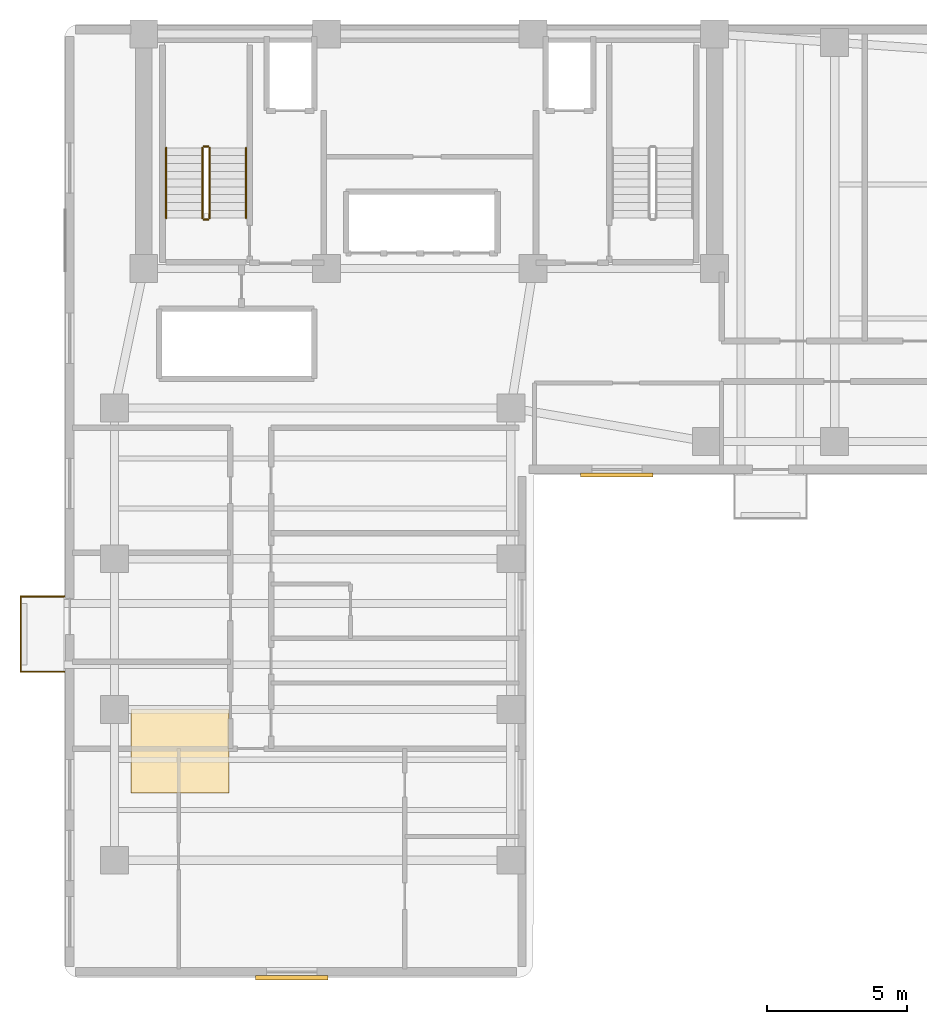
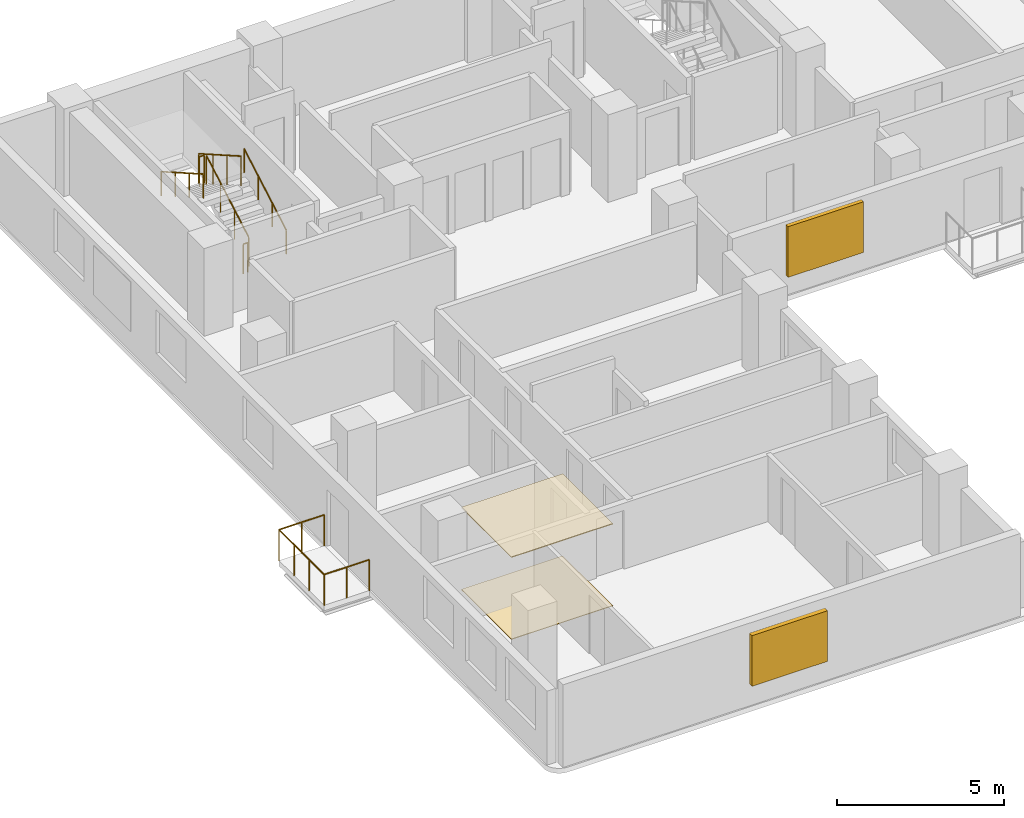
# One storey, part 6 of 7: 9 railings, 2 coverings, 2 shading devices.
"""IFC4 building model written with IfcOpenShell, lengths in metres."""

from ifc_helpers import new_model, si_unit, direction, frame, origin, origin_2d, place, context, subcontext, project, spatial, polyline, rectangle, circle, outline, extrude, material, layer, layer_set, type_object, element, save


model = new_model("IFC4")

# Units and contexts
model_context = context("Model", 3, precision=1e-05, world=origin(), true_north=direction((0.0, 1.0)))
body_context = subcontext(model_context, "Body", "Model", "MODEL_VIEW")
ifc_project = project(units=[si_unit("LENGTHUNIT", "METRE"), si_unit("AREAUNIT", "SQUARE_METRE"), si_unit("VOLUMEUNIT", "CUBIC_METRE"), si_unit("PLANEANGLEUNIT", "RADIAN"), si_unit("MASSUNIT", "GRAM", prefix="KILO")], contexts=[model_context])

# Site, building, storey
site_placement = place(None, origin())
site = spatial("IfcSite", under=ifc_project, at=site_placement, CompositionType="ELEMENT")
building_placement = place(site_placement, origin())
building = spatial("IfcBuilding", under=site, at=building_placement, Name="Kuzgunbayir Cultural Tower", CompositionType="ELEMENT")
storey_placement = place(building_placement, frame((0.0, 0.0, 117.0)))
storey = spatial("IfcBuildingStorey", under=building, at=storey_placement, Name="L33", CompositionType="ELEMENT", Elevation=117.0)

# Coverings
ifc_material_1 = material(Name="Perforated Gypsum Acoustic Tile", Category="gypsum")
ifc_layer_1 = layer(ifc_material_1, 0.02490234375)
ifc_layer_set_1 = layer_set([ifc_layer_1], Name="Perforated Gypsum Acoustic Tile")
covering_type_1 = type_object("IfcCoveringType", Name="COV-CEIL-ACOUSTIC", PredefinedType="CEILING", material=ifc_layer_set_1)
covering_1_placement = place(storey_placement, frame((0.0, 0.0, 2.989990234375)))
element("IfcCovering", 1, at=covering_1_placement, inside=storey, type_object=covering_type_1, Name="L33 Acoustic Soffit Ceiling", PredefinedType="CEILING", context=body_context, shape_type="SweptSolid", body=[
    extrude(outline(polyline([(6.0, 15.0), (9.5, 15.0), (9.5, 18.0), (6.0, 18.0), (6.0, 15.0)])), origin(), (0.0, 0.0, 1.0), 0.030029296875),
])
ifc_material_2 = material(Name="Engineered Anatolian Oak Parquet", Category="wood")
ifc_layer_2 = layer(ifc_material_2, 0.02197265625)
ifc_layer_set_2 = layer_set([ifc_layer_2], Name="Engineered Anatolian Oak Parquet")
covering_type_2 = type_object("IfcCoveringType", Name="COV-FLOOR-OAK", PredefinedType="FLOORING", material=ifc_layer_set_2)
covering_2_placement = place(storey_placement, origin())
element("IfcCovering", 2, at=covering_2_placement, inside=storey, type_object=covering_type_2, Name="L33 Acoustic Floor Finish", PredefinedType="FLOORING", context=body_context, shape_type="SweptSolid", body=[
    extrude(outline(polyline([(6.0, 15.0), (9.5, 15.0), (9.5, 18.0), (6.0, 18.0), (6.0, 15.0)])), origin(), (0.0, 0.0, 1.0), 0.02001953125),
])

# Railings
ifc_material_3 = material(Name="Laminated Glass and Stainless Steel", Category="steel")
ifc_layer_3 = layer(ifc_material_3, 0.080078125)
ifc_layer_set_3 = layer_set([ifc_layer_3], Name="Laminated Glass and Stainless Steel")
railing_type_1 = type_object("IfcRailingType", Name="RLG-BAL-115", PredefinedType="BALUSTRADE", material=ifc_layer_set_3)
railing_1_placement = place(storey_placement, frame((3.60009765625, 19.35009765625, 0.0)))
element("IfcRailing", 3, at=railing_1_placement, inside=storey, type_object=railing_type_1, Name="L33 Balcony Guard BAL-L33-WA2 Segment 1", PredefinedType="BALUSTRADE", context=body_context, shape_type="SweptSolid", body=[
    extrude(circle(Radius=0.02392578125, at=origin_2d()), frame((0.0, 0.0, 1.1259765625), z_axis=(-1.0, 0.0, 0.0), x_axis=(0.0, -1.0, 0.0)), (0.0, 0.0, 1.0), 1.56005859375),
    extrude(circle(Radius=0.02099609375, at=origin_2d()), origin(), (0.0, 0.0, 1.0), 1.101806640625),
    extrude(circle(Radius=0.02099609375, at=origin_2d()), frame((-0.780029296875, 0.0, 0.0)), (0.0, 0.0, 1.0), 1.101806640625),
    extrude(circle(Radius=0.02099609375, at=origin_2d()), frame((-1.56005859375, 0.0, 0.0)), (0.0, 0.0, 1.0), 1.101806640625),
])
railing_2_placement = place(storey_placement, frame((2.0400390625, 19.35009765625, 0.0)))
element("IfcRailing", 4, at=railing_2_placement, inside=storey, type_object=railing_type_1, Name="L33 Balcony Guard BAL-L33-WA2 Segment 2", PredefinedType="BALUSTRADE", context=body_context, shape_type="SweptSolid", body=[
    extrude(circle(Radius=0.02392578125, at=origin_2d()), frame((0.0, 0.0, 1.1259765625), z_axis=(0.0, 1.0, 0.0), x_axis=(-1.0, 0.0, 0.0)), (0.0, 0.0, 1.0), 2.699951171875),
    extrude(circle(Radius=0.02099609375, at=origin_2d()), origin(), (0.0, 0.0, 1.0), 1.101806640625),
    extrude(circle(Radius=0.02099609375, at=origin_2d()), frame((0.0, 0.89990234375, 0.0)), (0.0, 0.0, 1.0), 1.101806640625),
    extrude(circle(Radius=0.02099609375, at=origin_2d()), frame((0.0, 1.800048828125, 0.0)), (0.0, 0.0, 1.0), 1.101806640625),
    extrude(circle(Radius=0.02099609375, at=origin_2d()), frame((0.0, 2.699951171875, 0.0)), (0.0, 0.0, 1.0), 1.101806640625),
])
railing_3_placement = place(storey_placement, frame((2.0400390625, 22.050048828125, 0.0)))
element("IfcRailing", 5, at=railing_3_placement, inside=storey, type_object=railing_type_1, Name="L33 Balcony Guard BAL-L33-WA2 Segment 3", PredefinedType="BALUSTRADE", context=body_context, shape_type="SweptSolid", body=[
    extrude(circle(Radius=0.02392578125, at=origin_2d()), frame((0.0, 0.0, 1.1259765625), z_axis=(1.0, 0.0, 0.0), x_axis=(0.0, 1.0, 0.0)), (0.0, 0.0, 1.0), 1.56005859375),
    extrude(circle(Radius=0.02099609375, at=origin_2d()), origin(), (0.0, 0.0, 1.0), 1.101806640625),
    extrude(circle(Radius=0.02099609375, at=origin_2d()), frame((0.780029296875, 0.0, 0.0)), (0.0, 0.0, 1.0), 1.101806640625),
    extrude(circle(Radius=0.02099609375, at=origin_2d()), frame((1.56005859375, 0.0, 0.0)), (0.0, 0.0, 1.0), 1.101806640625),
])
ifc_material_4 = material(Name="Brushed Stainless Steel", Category="steel")
ifc_layer_4 = layer(ifc_material_4, 0.050048828125)
ifc_layer_set_4 = layer_set([ifc_layer_4], Name="Brushed Stainless Steel")
railing_type_2 = type_object("IfcRailingType", Name="RLG-STAIR-HANDRAIL", PredefinedType="HANDRAIL", material=ifc_layer_set_4)
railing_4_placement = place(storey_placement, frame((10.110107421875, 35.60009765625, 0.159912109375)))
element("IfcRailing", 6, at=railing_4_placement, inside=storey, type_object=railing_type_2, Name="L33 ST-1 stair handrail 1", PredefinedType="HANDRAIL", context=body_context, shape_type="SweptSolid", body=[
    extrude(circle(Radius=0.02392578125, at=origin_2d()), frame((0.0, 0.0, 0.8759765625), z_axis=(0.0, 0.868217259934, 0.496184229447), x_axis=(-1.0, 0.0, 0.0)), (0.0, 0.0, 1.0), 2.902587890625),
    extrude(circle(Radius=0.02099609375, at=origin_2d()), origin(), (0.0, 0.0, 1.0), 0.851806640625),
    extrude(circle(Radius=0.02099609375, at=origin_2d()), frame((0.0, 0.840087890625, 0.47998046875)), (0.0, 0.0, 1.0), 0.851806640625),
    extrude(circle(Radius=0.02099609375, at=origin_2d()), frame((0.0, 1.679931640625, 0.960205078125)), (0.0, 0.0, 1.0), 0.851806640625),
    extrude(circle(Radius=0.02099609375, at=origin_2d()), frame((0.0, 2.52001953125, 1.440185546875)), (0.0, 0.0, 1.0), 0.851806640625),
])
railing_5_placement = place(storey_placement, frame((7.25, 38.1201171875, 1.760009765625)))
element("IfcRailing", 7, at=railing_5_placement, inside=storey, type_object=railing_type_2, Name="L33 ST-1 stair handrail 2", PredefinedType="HANDRAIL", context=body_context, shape_type="SweptSolid", body=[
    extrude(circle(Radius=0.02392578125, at=origin_2d()), frame((0.0, 0.0, 0.8759765625), z_axis=(0.0, -0.868253494771, 0.496120820787), x_axis=(1.0, 0.0, 0.0)), (0.0, 0.0, 1.0), 2.90234375),
    extrude(circle(Radius=0.02099609375, at=origin_2d()), origin(), (0.0, 0.0, 1.0), 0.851806640625),
    extrude(circle(Radius=0.02099609375, at=origin_2d()), frame((0.0, -0.840087890625, 0.47998046875)), (0.0, 0.0, 1.0), 0.851806640625),
    extrude(circle(Radius=0.02099609375, at=origin_2d()), frame((0.0, -1.679931640625, 0.9599609375)), (0.0, 0.0, 1.0), 0.851806640625),
    extrude(circle(Radius=0.02099609375, at=origin_2d()), frame((0.0, -2.52001953125, 1.43994140625)), (0.0, 0.0, 1.0), 0.851806640625),
])
ifc_material_5 = material(Name="Painted Steel Balustrade", Category="steel")
ifc_layer_5 = layer(ifc_material_5, 0.06005859375)
ifc_layer_set_5 = layer_set([ifc_layer_5], Name="Painted Steel Balustrade")
railing_type_3 = type_object("IfcRailingType", Name="RLG-WELL-GUARD", PredefinedType="GUARDRAIL", material=ifc_layer_set_5)
railing_6_placement = place(storey_placement, frame((8.81005859375, 35.60009765625, 0.159912109375)))
element("IfcRailing", 8, at=railing_6_placement, inside=storey, type_object=railing_type_3, Name="L33 ST-1 stair guard 1", PredefinedType="GUARDRAIL", context=body_context, shape_type="SweptSolid", body=[
    extrude(circle(Radius=0.02392578125, at=origin_2d()), frame((0.0, 0.0, 1.076171875), z_axis=(0.0, 0.868217259934, 0.496184229447), x_axis=(-1.0, 0.0, 0.0)), (0.0, 0.0, 1.0), 2.902587890625),
    extrude(circle(Radius=0.02099609375, at=origin_2d()), origin(), (0.0, 0.0, 1.0), 1.052001953125),
    extrude(circle(Radius=0.02099609375, at=origin_2d()), frame((0.0, 0.840087890625, 0.47998046875)), (0.0, 0.0, 1.0), 1.052001953125),
    extrude(circle(Radius=0.02099609375, at=origin_2d()), frame((0.0, 1.679931640625, 0.960205078125)), (0.0, 0.0, 1.0), 1.052001953125),
    extrude(circle(Radius=0.02099609375, at=origin_2d()), frame((0.0, 2.52001953125, 1.440185546875)), (0.0, 0.0, 1.0), 1.052001953125),
])
railing_7_placement = place(storey_placement, frame((8.760009765625, 38.169921875, 1.60009765625)))
element("IfcRailing", 9, at=railing_7_placement, inside=storey, type_object=railing_type_3, Name="L33 ST-1 stair guard 2", PredefinedType="GUARDRAIL", context=body_context, shape_type="SweptSolid", body=[
    extrude(circle(Radius=0.02392578125, at=origin_2d()), frame((0.0, 0.0, 1.076171875), z_axis=(-1.0, 0.0, 0.0), x_axis=(0.0, -1.0, 0.0)), (0.0, 0.0, 1.0), 0.159912109375),
    extrude(circle(Radius=0.02099609375, at=origin_2d()), origin(), (0.0, 0.0, 1.0), 1.052001953125),
    extrude(circle(Radius=0.02099609375, at=origin_2d()), frame((-0.159912109375, 0.0, 0.0)), (0.0, 0.0, 1.0), 1.052001953125),
])
railing_8_placement = place(storey_placement, frame((8.550048828125, 38.1201171875, 1.760009765625)))
element("IfcRailing", 10, at=railing_8_placement, inside=storey, type_object=railing_type_3, Name="L33 ST-1 stair guard 3", PredefinedType="GUARDRAIL", context=body_context, shape_type="SweptSolid", body=[
    extrude(circle(Radius=0.02392578125, at=origin_2d()), frame((0.0, 0.0, 1.076171875), z_axis=(0.0, -0.868253494771, 0.496120820787), x_axis=(1.0, 0.0, 0.0)), (0.0, 0.0, 1.0), 2.90234375),
    extrude(circle(Radius=0.02099609375, at=origin_2d()), origin(), (0.0, 0.0, 1.0), 1.052001953125),
    extrude(circle(Radius=0.02099609375, at=origin_2d()), frame((0.0, -0.840087890625, 0.47998046875)), (0.0, 0.0, 1.0), 1.052001953125),
    extrude(circle(Radius=0.02099609375, at=origin_2d()), frame((0.0, -1.679931640625, 0.9599609375)), (0.0, 0.0, 1.0), 1.052001953125),
    extrude(circle(Radius=0.02099609375, at=origin_2d()), frame((0.0, -2.52001953125, 1.43994140625)), (0.0, 0.0, 1.0), 1.052001953125),
])
railing_9_placement = place(storey_placement, frame((8.760009765625, 35.550048828125, 0.0)))
element("IfcRailing", 11, at=railing_9_placement, inside=storey, type_object=railing_type_3, Name="L33 ST-1 stair guard 4", PredefinedType="GUARDRAIL", context=body_context, shape_type="SweptSolid", body=[
    extrude(circle(Radius=0.02392578125, at=origin_2d()), frame((0.0, 0.0, 1.076171875), z_axis=(-1.0, 0.0, 0.0), x_axis=(0.0, -1.0, 0.0)), (0.0, 0.0, 1.0), 0.159912109375),
    extrude(circle(Radius=0.02099609375, at=origin_2d()), origin(), (0.0, 0.0, 1.0), 1.052001953125),
    extrude(circle(Radius=0.02099609375, at=origin_2d()), frame((-0.159912109375, 0.0, 0.0)), (0.0, 0.0, 1.0), 1.052001953125),
])

# Shading devices
ifc_material_6 = material(Name="Perforated Bronze-Anodised Aluminium", Category="aluminium")
shading_device_type_1 = type_object("IfcShadingDeviceType", Name="SHD-SOLAR-BRONZE", PredefinedType="JALOUSIE", material=ifc_material_6)
shading_device_1_placement = place(storey_placement, frame((23.39990234375, 26.39990234375, 0.724853515625), z_axis=(0.0, 0.0, 1.0), x_axis=(1.0, 0.0, 0.0)))
element("IfcShadingDevice", 12, at=shading_device_1_placement, inside=storey, type_object=shading_device_type_1, Name="L33 Solar Screen WBS12", PredefinedType="JALOUSIE", context=body_context, shape_type="SweptSolid", body=[
    extrude(rectangle(XDim=2.60009765625, YDim=0.139892578125, at=origin_2d()), origin(), (0.0, 0.0, 1.0), 1.85009765625),
])
ifc_material_7 = material(Name="Warm Terracotta Ceramic Baguette", Category="masonry")
shading_device_type_2 = type_object("IfcShadingDeviceType", Name="SHD-SOLAR-CERAMIC", PredefinedType="SHUTTER", material=ifc_material_7)
shading_device_2_placement = place(storey_placement, frame((11.75, 8.389892578125, 0.794921875), z_axis=(0.0, 0.0, 1.0), x_axis=(1.0, 0.0, 0.0)))
element("IfcShadingDevice", 13, at=shading_device_2_placement, inside=storey, type_object=shading_device_type_2, Name="L33 Solar Screen WAS2", PredefinedType="SHUTTER", context=body_context, shape_type="SweptSolid", body=[
    extrude(rectangle(XDim=2.60009765625, YDim=0.159912109375, at=origin_2d()), origin(), (0.0, 0.0, 1.0), 1.85009765625),
])

save(model, "model.ifc")
